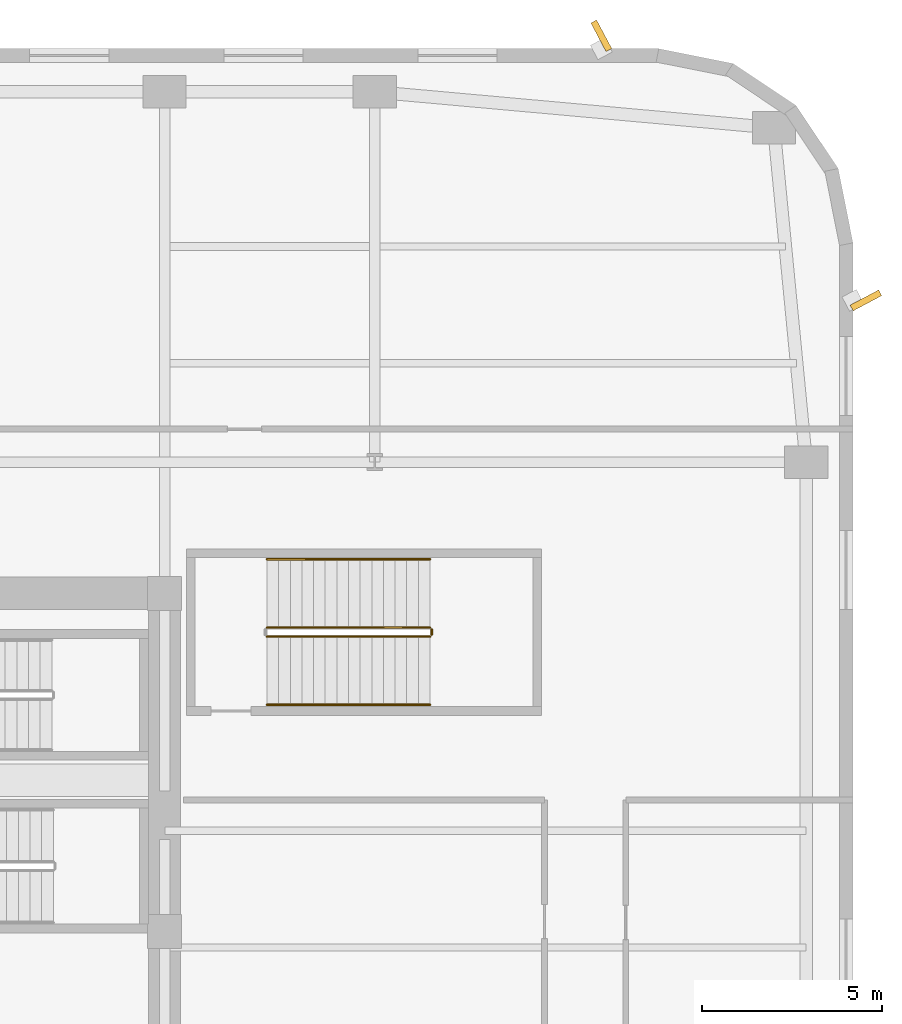
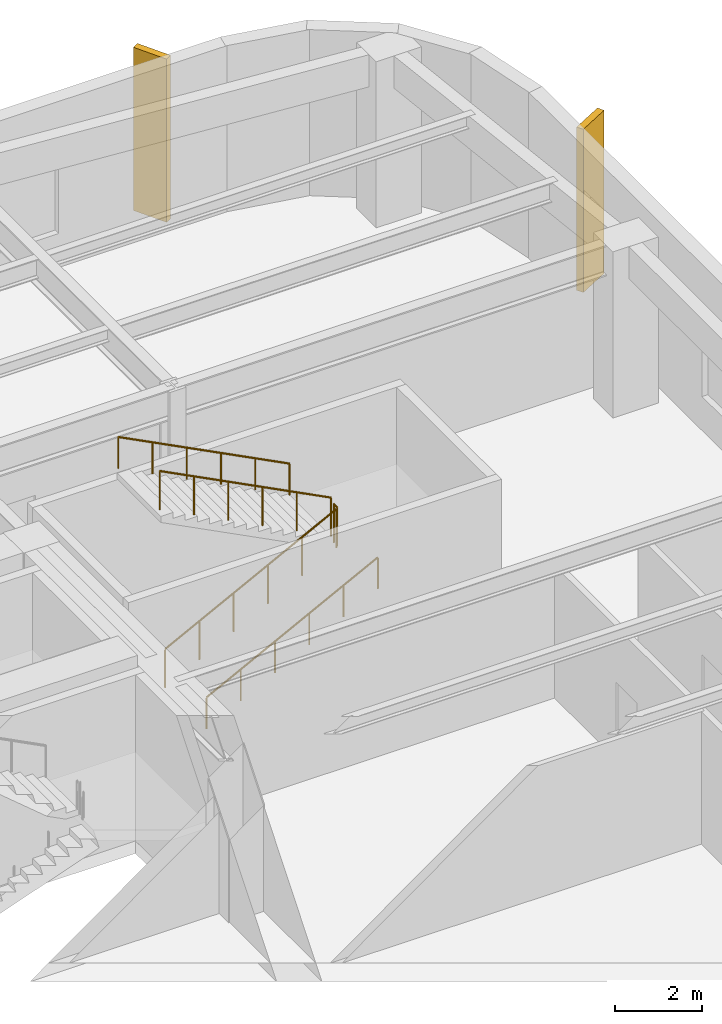
# One storey, part 22 of 22: 5 railings, 2 shading devices.
"""IFC4 building model written with IfcOpenShell, lengths in metres."""

from ifc_helpers import new_model, si_unit, direction, frame, origin, origin_2d, place, context, subcontext, project, spatial, rectangle, circle, extrude, material, type_object, element, save


model = new_model("IFC4")

# Units and contexts
model_context = context("Model", 3, precision=1e-05, world=origin(), true_north=direction((0.0, 1.0)))
body_context = subcontext(model_context, "Body", "Model", "MODEL_VIEW")
ifc_project = project(units=[si_unit("LENGTHUNIT", "METRE"), si_unit("AREAUNIT", "SQUARE_METRE"), si_unit("VOLUMEUNIT", "CUBIC_METRE"), si_unit("PLANEANGLEUNIT", "RADIAN"), si_unit("MASSUNIT", "GRAM", prefix="KILO")], contexts=[model_context])

# Site, building, storey
site_placement = place(None, origin())
site = spatial("IfcSite", under=ifc_project, at=site_placement, CompositionType="ELEMENT")
building_placement = place(site_placement, origin())
building = spatial("IfcBuilding", under=site, at=building_placement, Name="Kolvaren Arena Tower", CompositionType="ELEMENT")
storey_placement = place(building_placement, frame((0.0, 0.0, 13.0)))
storey = spatial("IfcBuildingStorey", under=building, at=storey_placement, Name="L02", CompositionType="ELEMENT", Elevation=13.0)

# Railings
ifc_material_1 = material(Name="Painted galvanized steel", Category="steel")
railing_type_1 = type_object("IfcRailingType", Name="GUARD-ST-110", PredefinedType="GUARDRAIL", material=ifc_material_1)
railing_1_placement = place(storey_placement, frame((63.199951171875, 38.14990234375, 0.166748046875)))
element("IfcRailing", 1, at=railing_1_placement, inside=storey, type_object=railing_type_1, Name="L02 ST-A8 stair guard 1", PredefinedType="GUARDRAIL", context=body_context, shape_type="SweptSolid", body=[
    extrude(circle(Radius=0.02392578125, at=origin_2d()), frame((0.0, 0.0, 1.076171875), z_axis=(0.889257211316, 0.0, 0.457407490234), x_axis=(0.0, 1.0, 0.0)), (0.0, 0.0, 1.0), 5.10107421875),
    extrude(circle(Radius=0.02099609375, at=origin_2d()), origin(), (0.0, 0.0, 1.0), 1.052001953125),
    extrude(circle(Radius=0.02099609375, at=origin_2d()), frame((0.9072265625, 0.0, 0.466552734375)), (0.0, 0.0, 1.0), 1.052001953125),
    extrude(circle(Radius=0.02099609375, at=origin_2d()), frame((1.814453125, 0.0, 0.933349609375)), (0.0, 0.0, 1.0), 1.052001953125),
    extrude(circle(Radius=0.02099609375, at=origin_2d()), frame((2.7216796875, 0.0, 1.39990234375)), (0.0, 0.0, 1.0), 1.052001953125),
    extrude(circle(Radius=0.02099609375, at=origin_2d()), frame((3.62890625, 0.0, 1.86669921875)), (0.0, 0.0, 1.0), 1.052001953125),
    extrude(circle(Radius=0.02099609375, at=origin_2d()), frame((4.5361328125, 0.0, 2.333251953125)), (0.0, 0.0, 1.0), 1.052001953125),
])
railing_2_placement = place(storey_placement, frame((67.785888671875, 38.199951171875, 2.5)))
element("IfcRailing", 2, at=railing_2_placement, inside=storey, type_object=railing_type_1, Name="L02 ST-A8 stair guard 2", PredefinedType="GUARDRAIL", context=body_context, shape_type="SweptSolid", body=[
    extrude(circle(Radius=0.02392578125, at=origin_2d()), frame((0.0, 0.0, 1.076171875), z_axis=(0.0, 1.0, 0.0), x_axis=(-1.0, 0.0, 0.0)), (0.0, 0.0, 1.0), 0.150146484375),
    extrude(circle(Radius=0.02099609375, at=origin_2d()), origin(), (0.0, 0.0, 1.0), 1.052001953125),
    extrude(circle(Radius=0.02099609375, at=origin_2d()), frame((0.0, 0.150146484375, 0.0)), (0.0, 0.0, 1.0), 1.052001953125),
])
railing_3_placement = place(storey_placement, frame((67.736083984375, 38.39990234375, 2.666748046875)))
element("IfcRailing", 3, at=railing_3_placement, inside=storey, type_object=railing_type_1, Name="L02 ST-A8 stair guard 3", PredefinedType="GUARDRAIL", context=body_context, shape_type="SweptSolid", body=[
    extrude(circle(Radius=0.02392578125, at=origin_2d()), frame((0.0, 0.0, 1.076171875), z_axis=(-0.889257211316, 0.0, 0.457407490234), x_axis=(0.0, -1.0, 0.0)), (0.0, 0.0, 1.0), 5.10107421875),
    extrude(circle(Radius=0.02099609375, at=origin_2d()), origin(), (0.0, 0.0, 1.0), 1.052001953125),
    extrude(circle(Radius=0.02099609375, at=origin_2d()), frame((-0.9072265625, 0.0, 0.466552734375)), (0.0, 0.0, 1.0), 1.052001953125),
    extrude(circle(Radius=0.02099609375, at=origin_2d()), frame((-1.814453125, 0.0, 0.933349609375)), (0.0, 0.0, 1.0), 1.052001953125),
    extrude(circle(Radius=0.02099609375, at=origin_2d()), frame((-2.7216796875, 0.0, 1.39990234375)), (0.0, 0.0, 1.0), 1.052001953125),
    extrude(circle(Radius=0.02099609375, at=origin_2d()), frame((-3.62890625, 0.0, 1.86669921875)), (0.0, 0.0, 1.0), 1.052001953125),
    extrude(circle(Radius=0.02099609375, at=origin_2d()), frame((-4.5361328125, 0.0, 2.333251953125)), (0.0, 0.0, 1.0), 1.052001953125),
])
ifc_material_2 = material(Name="Brushed stainless steel handrail", Category="steel")
railing_type_2 = type_object("IfcRailingType", Name="HRAIL-900", PredefinedType="HANDRAIL", material=ifc_material_2)
railing_4_placement = place(storey_placement, frame((63.199951171875, 36.25, 0.166748046875)))
element("IfcRailing", 4, at=railing_4_placement, inside=storey, type_object=railing_type_2, Name="L02 ST-A8 stair handrail 1", PredefinedType="HANDRAIL", context=body_context, shape_type="SweptSolid", body=[
    extrude(circle(Radius=0.02392578125, at=origin_2d()), frame((0.0, 0.0, 0.8759765625), z_axis=(0.889257211316, 0.0, 0.457407490234), x_axis=(0.0, 1.0, 0.0)), (0.0, 0.0, 1.0), 5.10107421875),
    extrude(circle(Radius=0.02099609375, at=origin_2d()), origin(), (0.0, 0.0, 1.0), 0.851806640625),
    extrude(circle(Radius=0.02099609375, at=origin_2d()), frame((0.9072265625, 0.0, 0.466552734375)), (0.0, 0.0, 1.0), 0.851806640625),
    extrude(circle(Radius=0.02099609375, at=origin_2d()), frame((1.814453125, 0.0, 0.933349609375)), (0.0, 0.0, 1.0), 0.851806640625),
    extrude(circle(Radius=0.02099609375, at=origin_2d()), frame((2.7216796875, 0.0, 1.39990234375)), (0.0, 0.0, 1.0), 0.851806640625),
    extrude(circle(Radius=0.02099609375, at=origin_2d()), frame((3.62890625, 0.0, 1.86669921875)), (0.0, 0.0, 1.0), 0.851806640625),
    extrude(circle(Radius=0.02099609375, at=origin_2d()), frame((4.5361328125, 0.0, 2.333251953125)), (0.0, 0.0, 1.0), 0.851806640625),
])
railing_5_placement = place(storey_placement, frame((67.736083984375, 40.300048828125, 2.666748046875)))
element("IfcRailing", 5, at=railing_5_placement, inside=storey, type_object=railing_type_2, Name="L02 ST-A8 stair handrail 2", PredefinedType="HANDRAIL", context=body_context, shape_type="SweptSolid", body=[
    extrude(circle(Radius=0.02392578125, at=origin_2d()), frame((0.0, 0.0, 0.8759765625), z_axis=(-0.889257211316, 0.0, 0.457407490234), x_axis=(0.0, -1.0, 0.0)), (0.0, 0.0, 1.0), 5.10107421875),
    extrude(circle(Radius=0.02099609375, at=origin_2d()), origin(), (0.0, 0.0, 1.0), 0.851806640625),
    extrude(circle(Radius=0.02099609375, at=origin_2d()), frame((-0.9072265625, 0.0, 0.466552734375)), (0.0, 0.0, 1.0), 0.851806640625),
    extrude(circle(Radius=0.02099609375, at=origin_2d()), frame((-1.814453125, 0.0, 0.933349609375)), (0.0, 0.0, 1.0), 0.851806640625),
    extrude(circle(Radius=0.02099609375, at=origin_2d()), frame((-2.7216796875, 0.0, 1.39990234375)), (0.0, 0.0, 1.0), 0.851806640625),
    extrude(circle(Radius=0.02099609375, at=origin_2d()), frame((-3.62890625, 0.0, 1.86669921875)), (0.0, 0.0, 1.0), 0.851806640625),
    extrude(circle(Radius=0.02099609375, at=origin_2d()), frame((-4.5361328125, 0.0, 2.333251953125)), (0.0, 0.0, 1.0), 0.851806640625),
])

# Shading devices
ifc_material_3 = material(Name="Precast architectural concrete C50/60 rib fin", Category="concrete")
shading_device_type = type_object("IfcShadingDeviceType", Name="SHAD-FIN-28", PredefinedType="USERDEFINED", material=ifc_material_3)
for number, where, z_axis, x_axis, name in (
    (6, (79.860107421875, 47.5, 0.02001953125), (0.0, 0.0, 1.0), (0.882947592859, 0.469471562786, 0.0), "Arena Podium 28-Deg Precast Fin (L02)"),
    (7, (72.5, 54.860107421875, 0.02001953125), (0.0, 0.0, 1.0), (-0.469471562786, 0.882947592859, 0.0), "Arena Podium 28-Deg Precast Fin (L02)"),
):
    element("IfcShadingDevice", number, at=place(storey_placement, frame(where, z_axis=z_axis, x_axis=x_axis)), inside=storey, type_object=shading_device_type, Name=name, ObjectType="FIN", PredefinedType="USERDEFINED", context=body_context, shape_type="SweptSolid", body=[
        extrude(rectangle(XDim=0.89990234375, YDim=0.179931640625, at=origin_2d()), origin(), (0.0, 0.0, 1.0), 4.570068359375),
    ])

save(model, "model.ifc")
